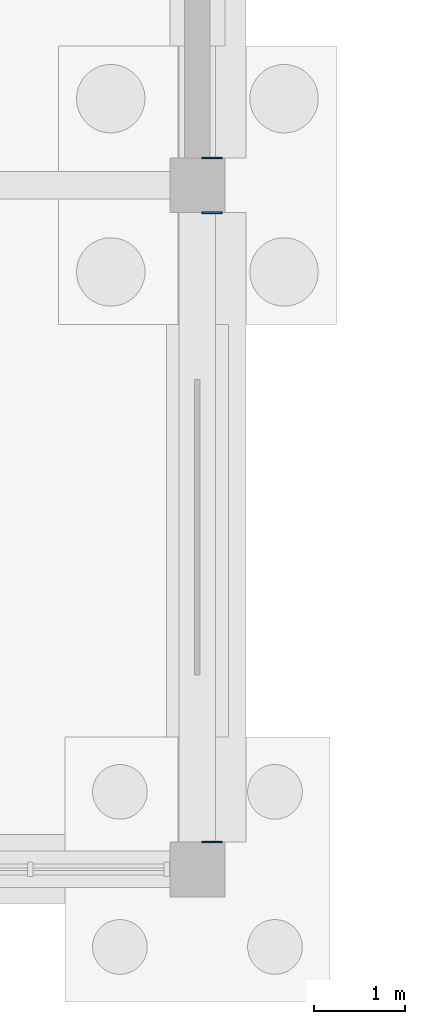
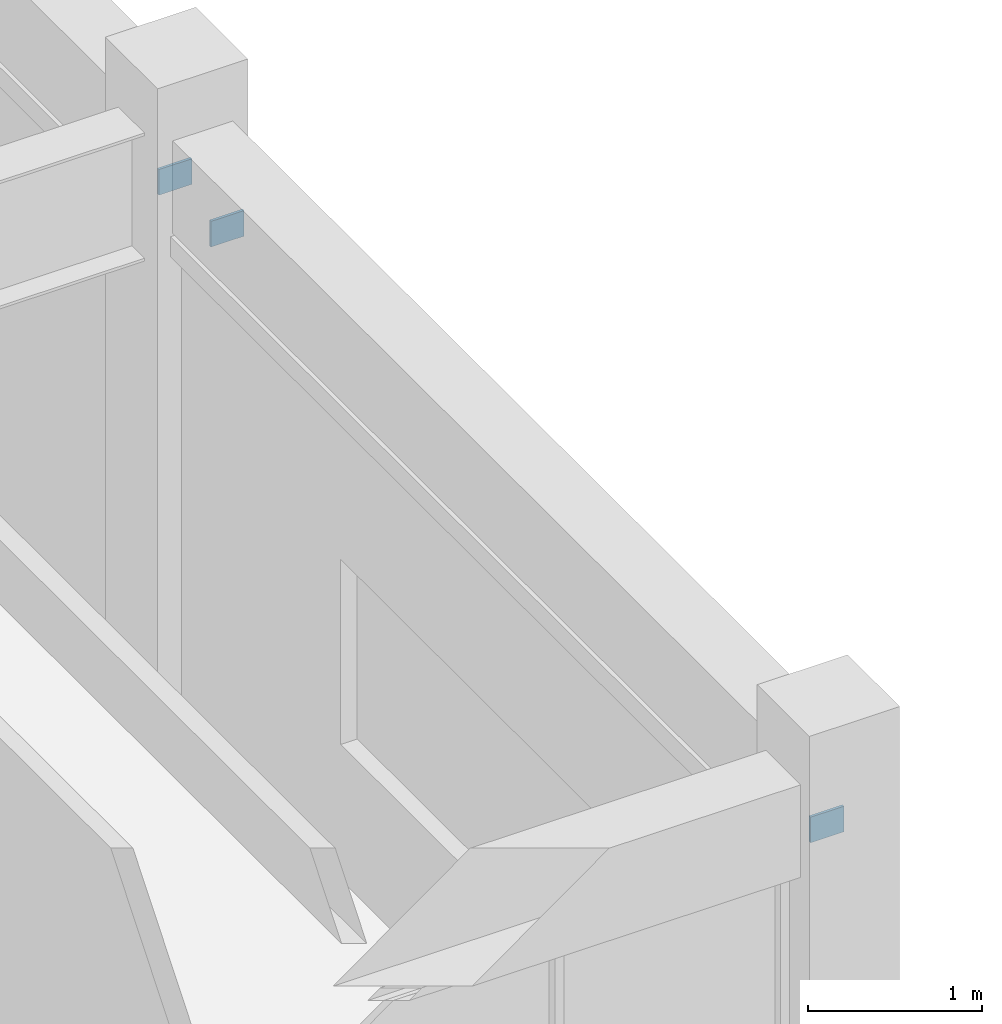
# One storey, part 67 of 93: 3 plates.
"""IFC4 building model written with IfcOpenShell, lengths in metres."""

import ifcopenshell
import ifcopenshell.guid

model = None  # the IFC model being written
_history = None  # IfcOwnerHistory: only IFC2X3 demands one
_inside = {}  # id of a spatial element -> (the spatial element, [elements in it])
_under = {}  # id of a project, library or spatial element -> (it, [spatial elements below it])
_declared = {}  # id of a project -> (the project, [libraries it declares])
_typed = {}  # id of a type object -> (the type object, [elements of that type])
_made_of = {}  # id of a material, layer set ... -> (it, [elements and type objects made of it])


def new_model(schema):
    """Start an empty IFC model of exactly this schema.

    Asked for "IFC4X3", IfcOpenShell would pick the latest addendum, in which some entities
    have other attributes; the version numbers below select the first issue.
    IFC2X3 requires an IfcOwnerHistory on every rooted entity: one is made here for all.
    """
    global model, _history
    if schema == "IFC4X3":
        model = ifcopenshell.file(schema_version=(4, 3, 0, 0))
    else:
        model = ifcopenshell.file(schema=schema)
    _inside.clear()
    _under.clear()
    _declared.clear()
    _typed.clear()
    _made_of.clear()
    _history = None
    if model.schema == "IFC2X3":
        org = make("IfcOrganization", Name="unknown")
        user = make(
            "IfcPersonAndOrganization",
            ThePerson=make("IfcPerson", FamilyName="unknown"),
            TheOrganization=org,
        )
        app = make(
            "IfcApplication",
            ApplicationDeveloper=org,
            Version="unknown",
            ApplicationFullName="unknown",
            ApplicationIdentifier="unknown",
        )
        _history = make(
            "IfcOwnerHistory",
            OwningUser=user,
            OwningApplication=app,
            ChangeAction="ADDED",
            CreationDate=0,
        )
    return model


def make(cls, **values):
    """One entity of the class cls with the attributes given. An attribute that is None is left unset."""
    return model.create_entity(
        cls, **{name: value for name, value in values.items() if value is not None}
    )


def rooted(cls, **values):
    """An entity with a GlobalId (a new one), such as an element, a storey or a relation."""
    return make(cls, GlobalId=ifcopenshell.guid.new(), OwnerHistory=_history, **values)


def si_unit(unit_type, name, prefix=None):
    """IfcSIUnit, for example si_unit("LENGTHUNIT", "METRE", prefix="MILLI")."""
    return make("IfcSIUnit", UnitType=unit_type, Prefix=prefix, Name=name)


def assignment(units):
    """IfcUnitAssignment: the units of a project."""
    return None if units is None else make("IfcUnitAssignment", Units=units)


def point(xyz):
    """IfcCartesianPoint."""
    return None if xyz is None else make("IfcCartesianPoint", Coordinates=xyz)


def direction(xyz):
    """IfcDirection."""
    return None if xyz is None else make("IfcDirection", DirectionRatios=xyz)


def frame(location, z_axis=None, x_axis=None):
    """IfcAxis2Placement3D, a coordinate frame: its origin and axes. An axis left out is left unset."""
    return make(
        "IfcAxis2Placement3D",
        Location=point(location),
        Axis=direction(z_axis),
        RefDirection=direction(x_axis),
    )


def frame_2d(location, x_axis=None):
    """IfcAxis2Placement2D, a coordinate frame in the plane: its origin and x axis."""
    return make(
        "IfcAxis2Placement2D", Location=point(location), RefDirection=direction(x_axis)
    )


def origin():
    """The frame at (0, 0, 0) with its axes left unset."""
    return frame((0.0, 0.0, 0.0))


def origin_2d():
    """The frame at (0, 0) in the plane with its x axis left unset."""
    return frame_2d((0.0, 0.0))


def place(relative_to, where):
    """IfcLocalPlacement: puts the frame where relative to a parent placement (None: the world)."""
    return make(
        "IfcLocalPlacement", PlacementRelTo=relative_to, RelativePlacement=where
    )


def context(
    kind, dimensions, precision=None, world=None, true_north=None, identifier=None
):
    """IfcGeometricRepresentationContext, for example the 3D "Model" context."""
    return make(
        "IfcGeometricRepresentationContext",
        ContextIdentifier=identifier,
        ContextType=kind,
        CoordinateSpaceDimension=dimensions,
        Precision=precision,
        WorldCoordinateSystem=world,
        TrueNorth=true_north,
    )


def subcontext(parent, identifier, kind, view, scale=None):
    """IfcGeometricRepresentationSubContext, for example "Body" below "Model"."""
    return make(
        "IfcGeometricRepresentationSubContext",
        ContextIdentifier=identifier,
        ContextType=kind,
        ParentContext=parent,
        TargetScale=scale,
        TargetView=view,
    )


def project(units=None, contexts=None):
    """IfcProject with its units and contexts."""
    return rooted(
        "IfcProject",
        Name="project",
        RepresentationContexts=contexts,
        UnitsInContext=assignment(units),
    )


def spatial(cls, under=None, at=None, **own):
    """A site, building, storey or space (cls), placed at a placement, below another one or the project."""
    s = rooted(cls, ObjectPlacement=at, **own)
    if under is not None:
        _under.setdefault(under.id(), (under, []))[1].append(s)
    return s


def profile(cls, at=None, kind="AREA", **sizes):
    """A parametric profile (cls). Its sizes go by their IFC names, for example OverallWidth=200.0."""
    return make(cls, ProfileType=kind, Position=at, **sizes)


def rectangle(**sizes):
    """IfcRectangleProfileDef."""
    return profile("IfcRectangleProfileDef", **sizes)


def extrude(swept, where, along, depth):
    """IfcExtrudedAreaSolid: the profile swept, set in the frame where, extruded along a direction by depth."""
    return make(
        "IfcExtrudedAreaSolid",
        SweptArea=swept,
        Position=where,
        ExtrudedDirection=direction(along),
        Depth=depth,
    )


def shape(context_of_items, identifier, shape_type, items):
    """IfcShapeRepresentation: the items that make up one representation, for example the "Body"."""
    return make(
        "IfcShapeRepresentation",
        ContextOfItems=context_of_items,
        RepresentationIdentifier=identifier,
        RepresentationType=shape_type,
        Items=items,
    )


def material(Name=None, Category=None):
    """IfcMaterial."""
    return make("IfcMaterial", Name=Name, Category=Category)


def layer(
    of_material, thickness, ventilated=None, Name=None, Category=None, Priority=None
):
    """IfcMaterialLayer: one layer of a wall or slab, of a material (None: an air gap)."""
    return make(
        "IfcMaterialLayer",
        Material=of_material,
        LayerThickness=thickness,
        IsVentilated=ventilated,
        Name=Name,
        Category=Category,
        Priority=Priority,
    )


def layer_set(layers, Name=None):
    """IfcMaterialLayerSet."""
    return make("IfcMaterialLayerSet", MaterialLayers=layers, LayerSetName=Name)


def made_of(thing, what):
    """Note that an element or type object is made of a material, layer set ...; save() writes the relation."""
    if what is not None:
        _made_of.setdefault(what.id(), (what, []))[1].append(thing)
    return thing


def type_object(cls, material=None, **own):
    """A type object (cls), such as IfcWallType, which elements share."""
    return made_of(rooted(cls, **own), material)


def element(
    cls,
    number,
    at=None,
    inside=None,
    cuts=None,
    type_object=None,
    material=None,
    context=None,
    identifier="Body",
    shape_type=None,
    held_by="IfcProductDefinitionShape",
    body=None,
    shapes=None,
    **own,
):
    """One element of the class cls, such as IfcWall. Its Tag is "e" and its number.

    at: its placement. inside: the storey or other place that contains it. cuts: it is an
    opening in that element (IfcRelVoidsElement). A single representation is given by context,
    identifier, shape_type and body (its items); several are given by shapes. held_by: the class
    of the entity that holds the representations. save() writes the other relations.
    """
    e = rooted(cls, Tag="e%d" % number, ObjectPlacement=at, **own)
    if body is not None:
        shapes = [shape(context, identifier, shape_type, body)]
    if shapes is not None:
        e.Representation = make(held_by, Representations=shapes)
    if inside is not None:
        _inside.setdefault(inside.id(), (inside, []))[1].append(e)
    if cuts is not None:
        rooted(
            "IfcRelVoidsElement", RelatingBuildingElement=cuts, RelatedOpeningElement=e
        )
    if type_object is not None:
        _typed.setdefault(type_object.id(), (type_object, []))[1].append(e)
    return made_of(e, material)


def aggregate(whole, parts):
    """IfcRelAggregates: a whole, such as a stair, and the parts it consists of."""
    return rooted("IfcRelAggregates", RelatingObject=whole, RelatedObjects=parts)


def save(model, path):
    """Write the relations noted so far, then the file.

    IfcRelAggregates (storeys below a building ...), IfcRelContainedInSpatialStructure (elements
    in a storey), IfcRelDefinesByType, IfcRelAssociatesMaterial and IfcRelDeclares: one each for
    every whole, place, type object, material and project.
    """
    for whole, parts in _under.values():
        aggregate(whole, parts)
    for where, things in _inside.values():
        rooted(
            "IfcRelContainedInSpatialStructure",
            RelatedElements=things,
            RelatingStructure=where,
        )
    for kind, things in _typed.values():
        rooted("IfcRelDefinesByType", RelatedObjects=things, RelatingType=kind)
    for what, things in _made_of.values():
        rooted("IfcRelAssociatesMaterial", RelatedObjects=things, RelatingMaterial=what)
    for by, libraries in _declared.values():
        rooted("IfcRelDeclares", RelatingContext=by, RelatedDefinitions=libraries)
    model.write(path)


model = new_model("IFC4")

# Units and contexts
model_context = context("Model", 3, precision=1e-05, world=origin(), true_north=direction((0.0, 1.0)))
body_context = subcontext(model_context, "Body", "Model", "MODEL_VIEW")
ifc_project = project(units=[si_unit("LENGTHUNIT", "METRE"), si_unit("AREAUNIT", "SQUARE_METRE"), si_unit("VOLUMEUNIT", "CUBIC_METRE"), si_unit("PLANEANGLEUNIT", "RADIAN"), si_unit("MASSUNIT", "GRAM", prefix="KILO")], contexts=[model_context])

# Site, building, storey
site_placement = place(None, origin())
site = spatial("IfcSite", under=ifc_project, at=site_placement, CompositionType="ELEMENT")
building_placement = place(site_placement, origin())
building = spatial("IfcBuilding", under=site, at=building_placement, Name="Marnridge Secondary College", CompositionType="ELEMENT")
storey_placement = place(building_placement, origin())
storey = spatial("IfcBuildingStorey", under=building, at=storey_placement, Name="L00", CompositionType="ELEMENT", Elevation=0.0)

# Plates
ifc_material = material(Name="Structural steel plate Grade 350 (AS/NZS 3678, fy = 350 MPa <=12mm, 340 MPa 12-20mm, 330 MPa 20-50mm)", Category="steel")
ifc_layer = layer(ifc_material, 0.02392578125)
ifc_layer_set = layer_set([ifc_layer], Name="PT-GUS-GSN2")
plate_type = type_object("IfcPlateType", Name="PT-GUS-GSN2", PredefinedType="USERDEFINED", material=ifc_layer_set)
for number, where, z_axis, x_axis, name in (
    (1, (36.159912109375, 90.300048828125, 3.27197265625), (0.0, 0.0, 1.0), (1.0, 0.0, 0.0), "Solar fin end bracket plate SFN-0017-BP2"),
    (2, (36.159912109375, 89.699951171875, 3.27197265625), (0.0, 0.0, 1.0), (1.0, 0.0, 0.0), "Solar fin end bracket plate SFN-0018-BP1"),
    (3, (36.159912109375, 82.800048828125, 3.27197265625), (0.0, 0.0, 1.0), (1.0, 0.0, 0.0), "Solar fin end bracket plate SFN-0018-BP2"),
):
    element("IfcPlate", number, at=place(storey_placement, frame(where, z_axis=z_axis, x_axis=x_axis)), inside=storey, type_object=plate_type, Name=name, ObjectType="GUSSET PLATE", PredefinedType="USERDEFINED", context=body_context, shape_type="SweptSolid", body=[
        extrude(rectangle(XDim=0.219970703125, YDim=0.01806640625, at=origin_2d()), origin(), (0.0, 0.0, 1.0), 0.179931640625),
    ])

save(model, "model.ifc")
